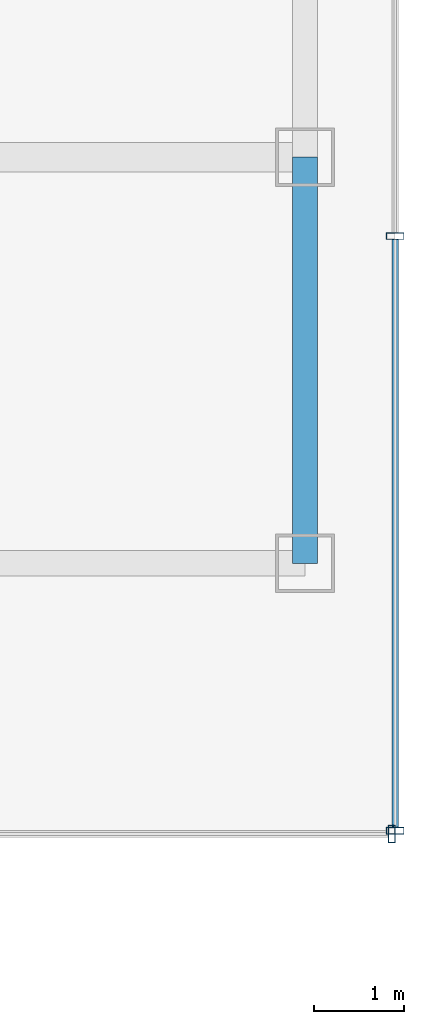
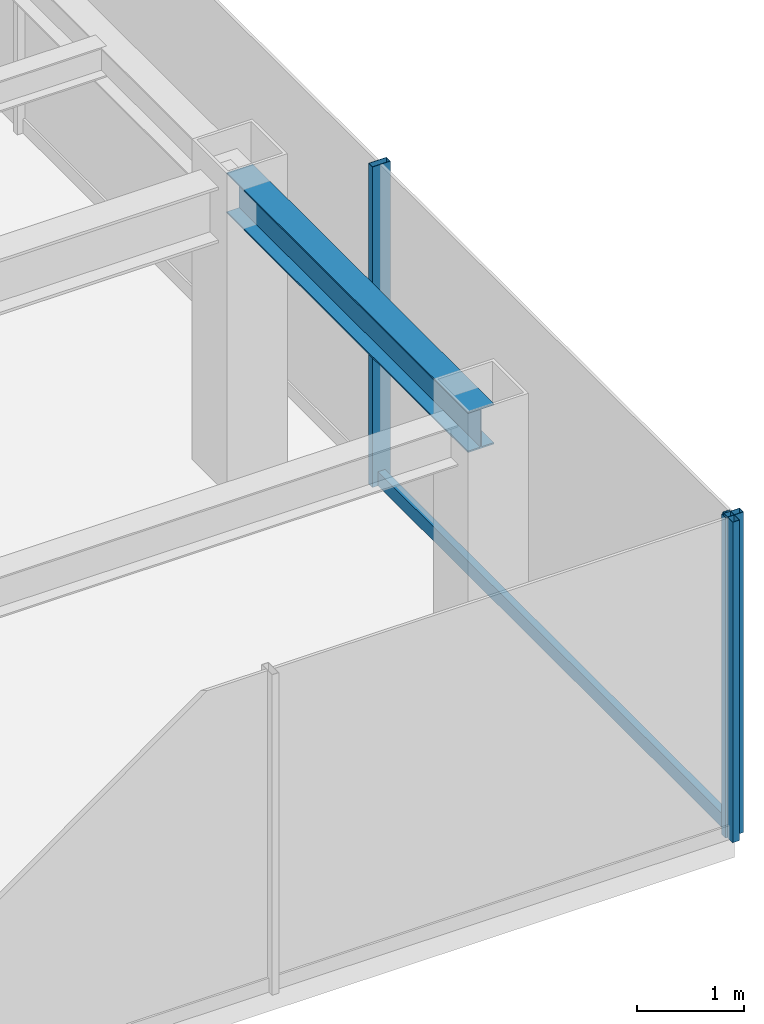
# One storey, part 11 of 25: 4 members, 1 beam, 2 elements without a shape of their own.
"""IFC4 building model written with IfcOpenShell, lengths in metres."""

from ifc_helpers import new_model, si_unit, derived_unit, direction, frame, origin, origin_2d, place, context, subcontext, project, spatial, hollow_rectangle, i_section, extrude, source, transform, mapped, material, material_profile, profile_set, type_object, element, aggregate, save


model = new_model("IFC4")

# Units and contexts
model_context = context("Model", 3, precision=1e-05, world=origin(), true_north=direction((0.0, 1.0)))
body_context = subcontext(model_context, "Body", "Model", "MODEL_VIEW")
ifc_project = project(units=[si_unit("LENGTHUNIT", "METRE"), si_unit("AREAUNIT", "SQUARE_METRE"), si_unit("VOLUMEUNIT", "CUBIC_METRE"), si_unit("PLANEANGLEUNIT", "RADIAN"), si_unit("MASSUNIT", "GRAM", prefix="KILO"), derived_unit("THERMALTRANSMITTANCEUNIT", [(si_unit("POWERUNIT", "WATT"), 1), (si_unit("LENGTHUNIT", "METRE"), -2), (si_unit("THERMODYNAMICTEMPERATUREUNIT", "KELVIN"), -1)])], contexts=[model_context])

# Site, building, storey
site_placement = place(None, origin())
site = spatial("IfcSite", under=ifc_project, at=site_placement, CompositionType="ELEMENT")
building_placement = place(site_placement, origin())
building = spatial("IfcBuilding", under=site, at=building_placement, Name="Skarnbrae Concourse Arena and Tower", CompositionType="ELEMENT")
storey_placement = place(building_placement, frame((0.0, 0.0, 155.199951171875)))
storey = spatial("IfcBuildingStorey", under=building, at=storey_placement, Name="L39", CompositionType="ELEMENT", Elevation=155.199951171875)

# Beam
ifc_material_1 = material(Name="Steel CSA G40.21 350W", Category="steel")
ifc_material_profile_1 = material_profile(ifc_material_1, i_section(OverallWidth=0.280029296875, OverallDepth=0.462890625, WebThickness=0.0107421875, FlangeThickness=0.017333984375, at=origin_2d()), Name="W460X113")
ifc_profile_set_1 = profile_set([ifc_material_profile_1], Name="Steel CSA G40.21 350W")
beam_type = type_object("IfcBeamType", Name="BM-SPAN-W460X113", PredefinedType="SPANDREL", material=ifc_profile_set_1)
shared_shape_1 = source(origin(), body_context, "Body", "SweptSolid", [
    extrude(i_section(OverallWidth=0.280029296875, OverallDepth=0.462890625, WebThickness=0.0107421875, FlangeThickness=0.017333984375, at=origin_2d()), origin(), (0.0, 0.0, 1.0), 4.5),
])
beam_placement = place(storey_placement, frame((49.0, 9.5, 3.16845703125), z_axis=(0.0, 1.0, 0.0), x_axis=(-1.0, 0.0, 0.0)))
element("IfcBeam", 1, at=beam_placement, inside=storey, type_object=beam_type, Name="L39 Perimeter spandrel X49.0-1", PredefinedType="SPANDREL", context=body_context, shape_type="MappedRepresentation", body=[
    mapped(shared_shape_1, transform((0.0, 0.0, 0.0))),
])

# Curtain wall, member
ifc_material_2 = material(Name="Bronze anodised aluminium 6063-T6", Category="aluminium")
curtain_wall_type = type_object("IfcCurtainWallType", Name="CW-SYS-04-MIDZONE", PredefinedType="USERDEFINED", material=ifc_material_2)
curtain_wall_1_placement = place(storey_placement, origin())
curtain_wall_1 = element("IfcCurtainWall", 2, at=curtain_wall_1_placement, inside=storey, type_object=curtain_wall_type, Name="L39 Unitised curtain wall CW-L39-E03", ObjectType="UNITISED CURTAIN WALL", PredefinedType="USERDEFINED")
ifc_material_profile_2 = material_profile(ifc_material_2, hollow_rectangle(XDim=0.074951171875, YDim=0.195068359375, WallThickness=0.00439453125, at=origin_2d()), Name="ALU-MULL-75X195")
ifc_profile_set_2 = profile_set([ifc_material_profile_2], Name="Bronze anodised aluminium 6063-T6")
member_type_1 = type_object("IfcMemberType", Name="CWM-CW-04", PredefinedType="MULLION", material=ifc_profile_set_2)
shared_shape_2 = source(origin(), body_context, "Body", "SweptSolid", [
    extrude(hollow_rectangle(XDim=0.074951171875, YDim=0.195068359375, WallThickness=0.00439453125, at=origin_2d()), origin(), (0.0, 0.0, 1.0), 3.650146484375),
])
member_1_placement = place(storey_placement, frame((49.96240234375, 6.5, 0.0), z_axis=(0.0, 0.0, 1.0), x_axis=(1.0, 0.0, 0.0)))
member_1 = element("IfcMember", 3, at=member_1_placement, type_object=member_type_1, Name="CW-L39-E03 Mullion 3", PredefinedType="MULLION", context=body_context, shape_type="MappedRepresentation", body=[
    mapped(shared_shape_2, transform((0.0, 0.0, 0.0))),
])
aggregate(curtain_wall_1, [member_1])

# Curtain wall, members
curtain_wall_2_placement = place(storey_placement, origin())
curtain_wall_2 = element("IfcCurtainWall", 4, at=curtain_wall_2_placement, inside=storey, type_object=curtain_wall_type, Name="L39 Unitised curtain wall CW-L39-E04", ObjectType="UNITISED CURTAIN WALL", PredefinedType="USERDEFINED")
member_2_placement = place(storey_placement, frame((50.0, 6.53759765625, 0.0), z_axis=(0.0, 0.0, 1.0), x_axis=(0.0, 1.0, 0.0)))
member_2 = element("IfcMember", 5, at=member_2_placement, type_object=member_type_1, Name="CW-L39-E04 Mullion 1", PredefinedType="MULLION", context=body_context, shape_type="MappedRepresentation", body=[
    mapped(shared_shape_2, transform((0.0, 0.0, 0.0))),
])
member_3_placement = place(storey_placement, frame((50.0, 13.125, 0.0), z_axis=(0.0, 0.0, 1.0), x_axis=(0.0, 1.0, 0.0)))
member_3 = element("IfcMember", 6, at=member_3_placement, type_object=member_type_1, Name="CW-L39-E04 Mullion 2", PredefinedType="MULLION", context=body_context, shape_type="MappedRepresentation", body=[
    mapped(shared_shape_2, transform((0.0, 0.0, 0.0))),
])
ifc_material_profile_3 = material_profile(ifc_material_2, hollow_rectangle(XDim=0.074951171875, YDim=0.159912109375, WallThickness=0.00439453125, at=origin_2d()), Name="ALU-TRAN-75X160")
ifc_profile_set_3 = profile_set([ifc_material_profile_3], Name="Bronze anodised aluminium 6063-T6")
member_type_2 = type_object("IfcMemberType", Name="CWT-CW-04", PredefinedType="USERDEFINED", material=ifc_profile_set_3)
shared_shape_3 = source(origin(), body_context, "Body", "SweptSolid", [
    extrude(hollow_rectangle(XDim=0.074951171875, YDim=0.159912109375, WallThickness=0.00439453125, at=origin_2d()), origin(), (0.0, 0.0, 1.0), 6.512451171875),
])
member_4_placement = place(storey_placement, frame((50.0, 6.574951171875, 0.080078125), z_axis=(0.0, 1.0, 0.0), x_axis=(-1.0, 0.0, 0.0)))
member_4 = element("IfcMember", 7, at=member_4_placement, type_object=member_type_2, Name="CW-L39-E04 Transom 1", ObjectType="TRANSOM", PredefinedType="USERDEFINED", context=body_context, shape_type="MappedRepresentation", body=[
    mapped(shared_shape_3, transform((0.0, 0.0, 0.0))),
])
aggregate(curtain_wall_2, [member_2, member_3, member_4])

save(model, "model.ifc")
